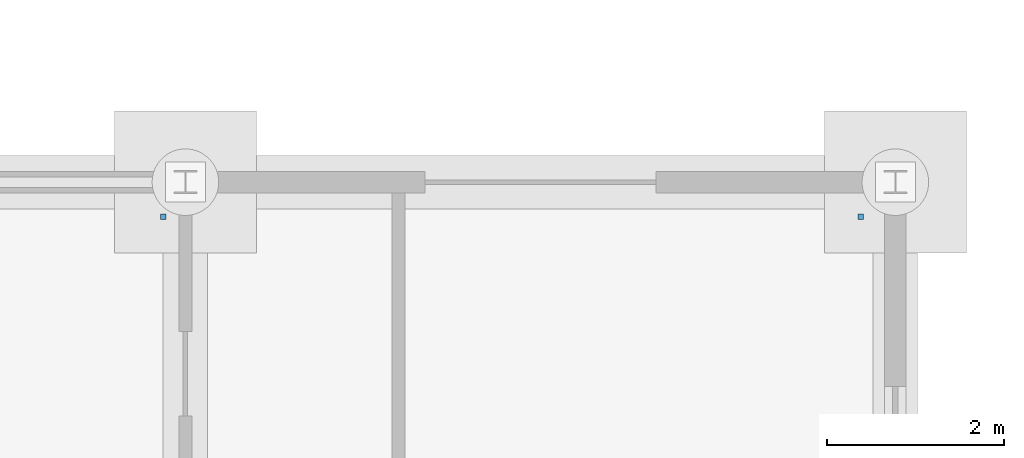
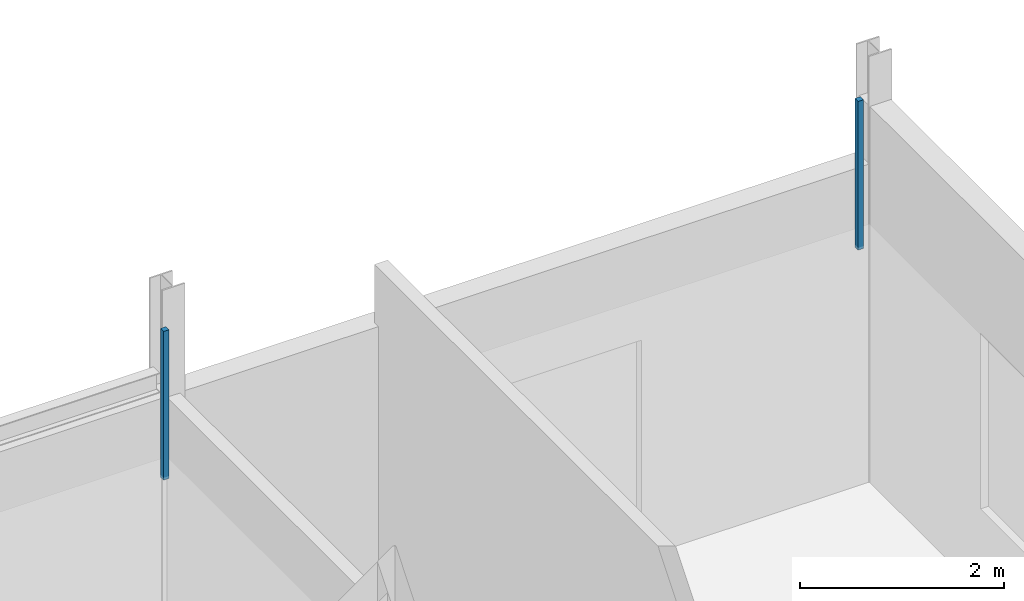
# One storey, part 82 of 111: 2 discrete accessories.
"""IFC4 building model written with IfcOpenShell, lengths in metres."""

from ifc_helpers import new_model, si_unit, direction, frame, origin, place, context, subcontext, project, spatial, polyline, outline, extrude, material, type_object, element, save


model = new_model("IFC4")

# Units and contexts
model_context = context("Model", 3, precision=1e-05, world=origin(), true_north=direction((0.0, 1.0)))
body_context = subcontext(model_context, "Body", "Model", "MODEL_VIEW")
ifc_project = project(units=[si_unit("LENGTHUNIT", "METRE"), si_unit("AREAUNIT", "SQUARE_METRE"), si_unit("VOLUMEUNIT", "CUBIC_METRE"), si_unit("PLANEANGLEUNIT", "RADIAN"), si_unit("MASSUNIT", "GRAM", prefix="KILO")], contexts=[model_context])

# Site, building, storey
site_placement = place(None, origin())
site = spatial("IfcSite", under=ifc_project, at=site_placement, CompositionType="ELEMENT")
building_placement = place(site_placement, origin())
building = spatial("IfcBuilding", under=site, at=building_placement, Name="Dunescarp Central Library", CompositionType="ELEMENT")
storey_placement = place(building_placement, origin())
storey = spatial("IfcBuildingStorey", under=building, at=storey_placement, Name="L00", CompositionType="ELEMENT", Elevation=0.0)

# Discrete accessories
ifc_material = material(Name="Stainless steel Grade 316L", Category="steel")
discrete_accessory_type = type_object("IfcDiscreteAccessoryType", Name="ARC-ACC-BRK", PredefinedType="BRACKET", material=ifc_material)
discrete_accessory_1_placement = place(storey_placement, frame((0.0, 0.0, 3.06005859375)))
element("IfcDiscreteAccessory", 1, at=discrete_accessory_1_placement, inside=storey, type_object=discrete_accessory_type, Name="L00 ceiling hanger CLG-L00-115-H2", PredefinedType="BRACKET", context=body_context, shape_type="SweptSolid", body=[
    extrude(outline(polyline([(116.52001953125, 49.179931640625), (116.580078125, 49.179931640625), (116.580078125, 49.239990234375), (116.52001953125, 49.239990234375), (116.52001953125, 49.179931640625)])), origin(), (0.0, 0.0, 1.0), 1.780029296875),
])
discrete_accessory_2_placement = place(storey_placement, frame((0.0, 0.0, 3.06005859375)))
element("IfcDiscreteAccessory", 2, at=discrete_accessory_2_placement, inside=storey, type_object=discrete_accessory_type, Name="L00 ceiling hanger CLG-L00-116-H2", PredefinedType="BRACKET", context=body_context, shape_type="SweptSolid", body=[
    extrude(outline(polyline([(124.3798828125, 49.179931640625), (124.43994140625, 49.179931640625), (124.43994140625, 49.239990234375), (124.3798828125, 49.239990234375), (124.3798828125, 49.179931640625)])), origin(), (0.0, 0.0, 1.0), 1.780029296875),
])

save(model, "model.ifc")
